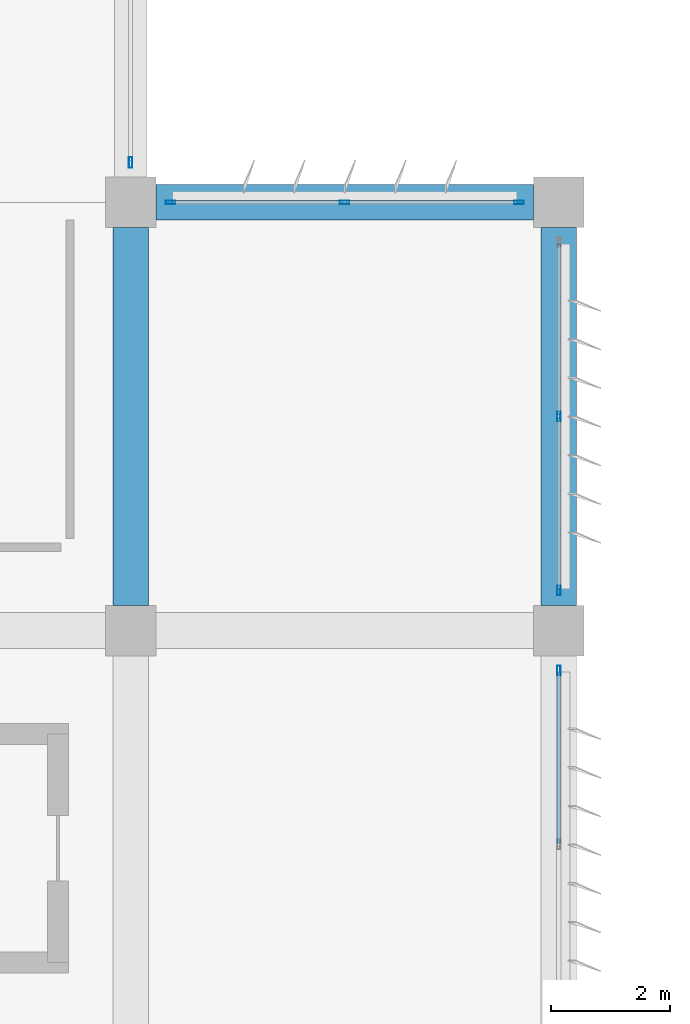
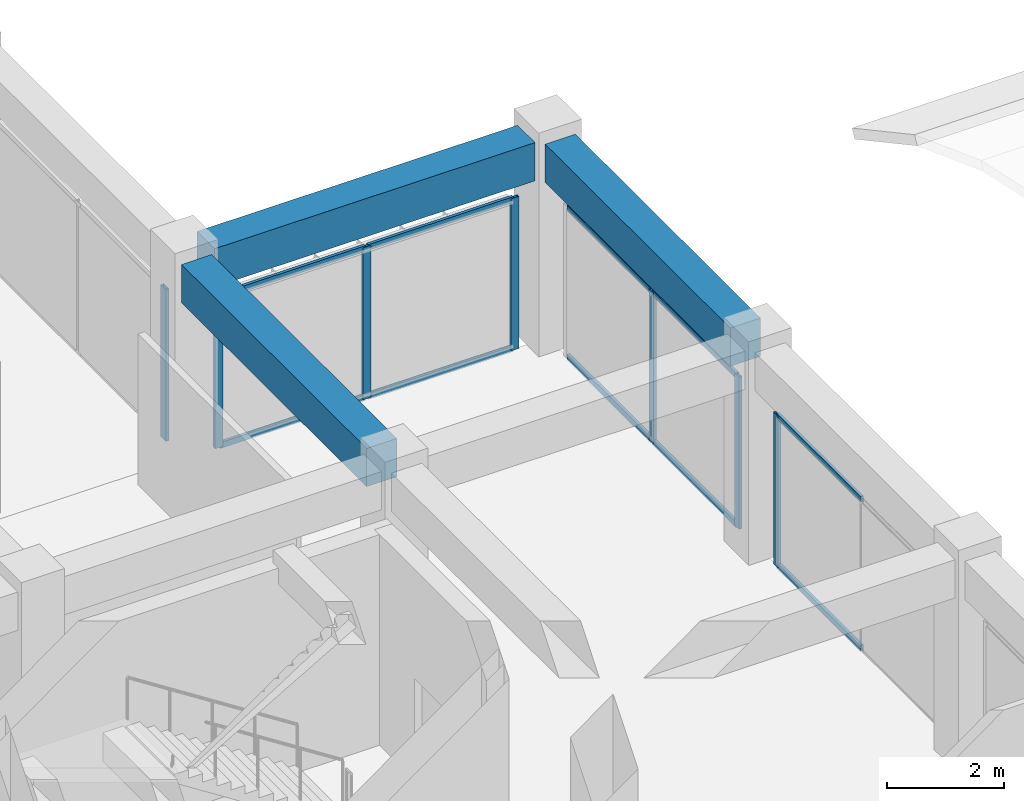
# One storey, part 20 of 55: 17 members, 3 beams, 4 elements without a shape of their own.
"""IFC4 building model written with IfcOpenShell, lengths in metres."""

from ifc_helpers import new_model, si_unit, direction, frame, origin, origin_2d, place, context, subcontext, project, spatial, rectangle, hollow_rectangle, extrude, material, material_profile, profile_set, type_object, element, aggregate, save


model = new_model("IFC4")

# Units and contexts
model_context = context("Model", 3, precision=1e-05, world=origin(), true_north=direction((0.0, 1.0)))
body_context = subcontext(model_context, "Body", "Model", "MODEL_VIEW")
ifc_project = project(units=[si_unit("LENGTHUNIT", "METRE"), si_unit("AREAUNIT", "SQUARE_METRE"), si_unit("VOLUMEUNIT", "CUBIC_METRE"), si_unit("PLANEANGLEUNIT", "RADIAN"), si_unit("MASSUNIT", "GRAM", prefix="KILO")], contexts=[model_context])

# Site, building, storey
site_placement = place(None, origin())
site = spatial("IfcSite", under=ifc_project, at=site_placement, CompositionType="ELEMENT")
building_placement = place(site_placement, origin())
building = spatial("IfcBuilding", under=site, at=building_placement, Name="Kazehaya Institute of Natural Sciences", CompositionType="ELEMENT")
storey_placement = place(building_placement, frame((0.0, 0.0, 15.1201171875)))
storey = spatial("IfcBuildingStorey", under=building, at=storey_placement, Name="L03", CompositionType="ELEMENT", Elevation=15.1201171875)

# Beams
ifc_material_1 = material(Name="Concrete Fc36", Category="concrete")
ifc_material_profile_1 = material_profile(ifc_material_1, rectangle(XDim=0.60009765625, YDim=0.800048828125, at=origin_2d()), Name="RC-600x800")
ifc_profile_set_1 = profile_set([ifc_material_profile_1], Name="Concrete Fc36")
beam_type = type_object("IfcBeamType", Name="BM-G-600x800", PredefinedType="BEAM", material=ifc_profile_set_1)
for number, where, z_axis, x_axis, name in (
    (1, (112.625, 35.60009765625, 4.009765625), (1.0, 0.0, 0.0), (0.0, 1.0, 0.0), "L03 primary X girder BMX-L03-1122-356"),
    (2, (112.199951171875, 28.824951171875, 4.009765625), (0.0, 1.0, 0.0), (-1.0, 0.0, 0.0), "L03 primary Y girder BMY-L03-1122-284"),
    (3, (119.39990234375, 28.824951171875, 4.009765625), (0.0, 1.0, 0.0), (-1.0, 0.0, 0.0), "L03 primary Y girder BMY-L03-1194-284"),
):
    element("IfcBeam", number, at=place(storey_placement, frame(where, z_axis=z_axis, x_axis=x_axis)), inside=storey, type_object=beam_type, Name=name, PredefinedType="BEAM", context=body_context, shape_type="SweptSolid", body=[
        extrude(rectangle(XDim=0.60009765625, YDim=0.800048828125, at=origin_2d()), origin(), (0.0, 0.0, 1.0), 6.35009765625),
    ])

# Curtain wall, members
ifc_material_2 = material(Name="Aluminium alloy A6063S-T5", Category="aluminium")
curtain_wall_type_1 = type_object("IfcCurtainWallType", Name="CW-SYS-03", PredefinedType="NOTDEFINED", material=ifc_material_2)
curtain_wall_1_placement = place(storey_placement, origin())
curtain_wall_1 = element("IfcCurtainWall", 4, at=curtain_wall_1_placement, inside=storey, type_object=curtain_wall_type_1, Name="L03 unitised curtain wall CW-L03-067", PredefinedType="NOTDEFINED")
ifc_material_profile_2 = material_profile(ifc_material_2, hollow_rectangle(XDim=0.06005859375, YDim=0.159912109375, WallThickness=0.00390625, at=origin_2d()), Name="ALU-60x160x4")
ifc_profile_set_2 = profile_set([ifc_material_profile_2], Name="Aluminium alloy A6063S-T5")
member_type_1 = type_object("IfcMemberType", Name="CWM-160", PredefinedType="MULLION", material=ifc_profile_set_2)
member_1_placement = place(storey_placement, frame((112.8701171875, 35.60009765625, 0.0), z_axis=(0.0, 0.0, 1.0), x_axis=(0.0, 1.0, 0.0)))
member_1 = element("IfcMember", 5, at=member_1_placement, type_object=member_type_1, Name="CW03 mullion 1", PredefinedType="MULLION", context=body_context, shape_type="SweptSolid", body=[
    extrude(hollow_rectangle(XDim=0.06005859375, YDim=0.159912109375, WallThickness=0.00390625, at=origin_2d()), origin(), (0.0, 0.0, 1.0), 3.179931640625),
])
member_2_placement = place(storey_placement, frame((115.800048828125, 35.60009765625, 0.0), z_axis=(0.0, 0.0, 1.0), x_axis=(0.0, 1.0, 0.0)))
member_2 = element("IfcMember", 6, at=member_2_placement, type_object=member_type_1, Name="CW03 mullion 2", PredefinedType="MULLION", context=body_context, shape_type="SweptSolid", body=[
    extrude(hollow_rectangle(XDim=0.06005859375, YDim=0.159912109375, WallThickness=0.00390625, at=origin_2d()), origin(), (0.0, 0.0, 1.0), 3.179931640625),
])
member_3_placement = place(storey_placement, frame((118.72998046875, 35.60009765625, 0.0), z_axis=(0.0, 0.0, 1.0), x_axis=(0.0, 1.0, 0.0)))
member_3 = element("IfcMember", 7, at=member_3_placement, type_object=member_type_1, Name="CW03 mullion 3", PredefinedType="MULLION", context=body_context, shape_type="SweptSolid", body=[
    extrude(hollow_rectangle(XDim=0.06005859375, YDim=0.159912109375, WallThickness=0.00390625, at=origin_2d()), origin(), (0.0, 0.0, 1.0), 3.179931640625),
])

# Curtain wall, member
curtain_wall_type_2 = type_object("IfcCurtainWallType", Name="CW-SYS-10", PredefinedType="NOTDEFINED", material=ifc_material_2)
curtain_wall_2_placement = place(storey_placement, origin())
curtain_wall_2 = element("IfcCurtainWall", 8, at=curtain_wall_2_placement, inside=storey, type_object=curtain_wall_type_2, Name="L03 unitised curtain wall CW-L03-072", PredefinedType="NOTDEFINED")
member_4_placement = place(storey_placement, frame((119.39990234375, 27.72998046875, 0.0), z_axis=(0.0, 0.0, 1.0), x_axis=(1.0, 0.0, 0.0)))
member_4 = element("IfcMember", 9, at=member_4_placement, type_object=member_type_1, Name="CW10 mullion 1", PredefinedType="MULLION", context=body_context, shape_type="SweptSolid", body=[
    extrude(hollow_rectangle(XDim=0.06005859375, YDim=0.159912109375, WallThickness=0.00390625, at=origin_2d()), origin(), (0.0, 0.0, 1.0), 3.179931640625),
])

# Curtain wall, members
curtain_wall_3_placement = place(storey_placement, origin())
curtain_wall_3 = element("IfcCurtainWall", 10, at=curtain_wall_3_placement, inside=storey, type_object=curtain_wall_type_2, Name="L03 unitised curtain wall CW-L03-074", PredefinedType="NOTDEFINED")
member_5_placement = place(storey_placement, frame((119.39990234375, 32.0, 0.0), z_axis=(0.0, 0.0, 1.0), x_axis=(1.0, 0.0, 0.0)))
member_5 = element("IfcMember", 11, at=member_5_placement, type_object=member_type_1, Name="CW10 mullion 2", PredefinedType="MULLION", context=body_context, shape_type="SweptSolid", body=[
    extrude(hollow_rectangle(XDim=0.06005859375, YDim=0.159912109375, WallThickness=0.00390625, at=origin_2d()), origin(), (0.0, 0.0, 1.0), 3.179931640625),
])
member_6_placement = place(storey_placement, frame((119.39990234375, 29.070068359375, 0.0), z_axis=(0.0, 0.0, 1.0), x_axis=(1.0, 0.0, 0.0)))
member_6 = element("IfcMember", 12, at=member_6_placement, type_object=member_type_1, Name="CW10 mullion 3", PredefinedType="MULLION", context=body_context, shape_type="SweptSolid", body=[
    extrude(hollow_rectangle(XDim=0.06005859375, YDim=0.159912109375, WallThickness=0.00390625, at=origin_2d()), origin(), (0.0, 0.0, 1.0), 3.179931640625),
])

# Curtain wall, member
curtain_wall_type_3 = type_object("IfcCurtainWallType", Name="CW-SYS-04", PredefinedType="NOTDEFINED", material=ifc_material_2)
curtain_wall_4_placement = place(storey_placement, origin())
curtain_wall_4 = element("IfcCurtainWall", 13, at=curtain_wall_4_placement, inside=storey, type_object=curtain_wall_type_3, Name="L03 unitised curtain wall CW-L03-032", PredefinedType="NOTDEFINED")
ifc_material_profile_3 = material_profile(ifc_material_2, hollow_rectangle(XDim=0.06005859375, YDim=0.179931640625, WallThickness=0.00390625, at=origin_2d()), Name="ALU-60x180x4")
ifc_profile_set_3 = profile_set([ifc_material_profile_3], Name="Aluminium alloy A6063S-T5")
member_type_2 = type_object("IfcMemberType", Name="CWM-180", PredefinedType="MULLION", material=ifc_profile_set_3)
member_7_placement = place(storey_placement, frame((112.199951171875, 36.27001953125, 0.0), z_axis=(0.0, 0.0, 1.0), x_axis=(1.0, 0.0, 0.0)))
member_7 = element("IfcMember", 14, at=member_7_placement, type_object=member_type_2, Name="CW04 mullion 3", PredefinedType="MULLION", context=body_context, shape_type="SweptSolid", body=[
    extrude(hollow_rectangle(XDim=0.06005859375, YDim=0.179931640625, WallThickness=0.00390625, at=origin_2d()), origin(), (0.0, 0.0, 1.0), 3.179931640625),
])
aggregate(curtain_wall_4, [member_7])

# Member
ifc_material_profile_4 = material_profile(ifc_material_2, hollow_rectangle(XDim=0.06005859375, YDim=0.1201171875, WallThickness=0.00341796875, at=origin_2d()), Name="ALU-60x120x3.5")
ifc_profile_set_4 = profile_set([ifc_material_profile_4], Name="Aluminium alloy A6063S-T5")
member_type_3 = type_object("IfcMemberType", Name="CWT-120", PredefinedType="USERDEFINED", material=ifc_profile_set_4)
member_8_placement = place(storey_placement, frame((112.89990234375, 35.60009765625, 0.02978515625), z_axis=(1.0, 0.0, 0.0), x_axis=(0.0, 1.0, 0.0)))
member_8 = element("IfcMember", 15, at=member_8_placement, type_object=member_type_3, Name="CW03 transom 1.1", ObjectType="TRANSOM", PredefinedType="USERDEFINED", context=body_context, shape_type="SweptSolid", body=[
    extrude(hollow_rectangle(XDim=0.06005859375, YDim=0.1201171875, WallThickness=0.00341796875, at=origin_2d()), origin(), (0.0, 0.0, 1.0), 2.8701171875),
])

member_9_placement = place(storey_placement, frame((112.89990234375, 35.60009765625, 3.14990234375), z_axis=(1.0, 0.0, 0.0), x_axis=(0.0, 1.0, 0.0)))
member_9 = element("IfcMember", 16, at=member_9_placement, type_object=member_type_3, Name="CW03 transom 1.2", ObjectType="TRANSOM", PredefinedType="USERDEFINED", context=body_context, shape_type="SweptSolid", body=[
    extrude(hollow_rectangle(XDim=0.06005859375, YDim=0.1201171875, WallThickness=0.00341796875, at=origin_2d()), origin(), (0.0, 0.0, 1.0), 2.8701171875),
])

member_10_placement = place(storey_placement, frame((115.830078125, 35.60009765625, 0.02978515625), z_axis=(1.0, 0.0, 0.0), x_axis=(0.0, 1.0, 0.0)))
member_10 = element("IfcMember", 17, at=member_10_placement, type_object=member_type_3, Name="CW03 transom 2.1", ObjectType="TRANSOM", PredefinedType="USERDEFINED", context=body_context, shape_type="SweptSolid", body=[
    extrude(hollow_rectangle(XDim=0.06005859375, YDim=0.1201171875, WallThickness=0.00341796875, at=origin_2d()), origin(), (0.0, 0.0, 1.0), 2.869873046875),
])

member_11_placement = place(storey_placement, frame((115.830078125, 35.60009765625, 3.14990234375), z_axis=(1.0, 0.0, 0.0), x_axis=(0.0, 1.0, 0.0)))
member_11 = element("IfcMember", 18, at=member_11_placement, type_object=member_type_3, Name="CW03 transom 2.2", ObjectType="TRANSOM", PredefinedType="USERDEFINED", context=body_context, shape_type="SweptSolid", body=[
    extrude(hollow_rectangle(XDim=0.06005859375, YDim=0.1201171875, WallThickness=0.00341796875, at=origin_2d()), origin(), (0.0, 0.0, 1.0), 2.869873046875),
])

aggregate(curtain_wall_1, [member_1, member_2, member_3, member_8, member_9, member_10, member_11])

member_12_placement = place(storey_placement, frame((119.39990234375, 27.699951171875, 0.02978515625), z_axis=(0.0, -1.0, 0.0), x_axis=(1.0, 0.0, 0.0)))
member_12 = element("IfcMember", 19, at=member_12_placement, type_object=member_type_3, Name="CW10 transom 1.1", ObjectType="TRANSOM", PredefinedType="USERDEFINED", context=body_context, shape_type="SweptSolid", body=[
    extrude(hollow_rectangle(XDim=0.06005859375, YDim=0.1201171875, WallThickness=0.00341796875, at=origin_2d()), origin(), (0.0, 0.0, 1.0), 2.869873046875),
])

member_13_placement = place(storey_placement, frame((119.39990234375, 27.699951171875, 3.14990234375), z_axis=(0.0, -1.0, 0.0), x_axis=(1.0, 0.0, 0.0)))
member_13 = element("IfcMember", 20, at=member_13_placement, type_object=member_type_3, Name="CW10 transom 1.2", ObjectType="TRANSOM", PredefinedType="USERDEFINED", context=body_context, shape_type="SweptSolid", body=[
    extrude(hollow_rectangle(XDim=0.06005859375, YDim=0.1201171875, WallThickness=0.00341796875, at=origin_2d()), origin(), (0.0, 0.0, 1.0), 2.869873046875),
])

aggregate(curtain_wall_2, [member_4, member_12, member_13])

member_14_placement = place(storey_placement, frame((119.39990234375, 34.89990234375, 0.02978515625), z_axis=(0.0, -1.0, 0.0), x_axis=(1.0, 0.0, 0.0)))
member_14 = element("IfcMember", 21, at=member_14_placement, type_object=member_type_3, Name="CW10 transom 1.1", ObjectType="TRANSOM", PredefinedType="USERDEFINED", context=body_context, shape_type="SweptSolid", body=[
    extrude(hollow_rectangle(XDim=0.06005859375, YDim=0.1201171875, WallThickness=0.00341796875, at=origin_2d()), origin(), (0.0, 0.0, 1.0), 2.869873046875),
])

member_15_placement = place(storey_placement, frame((119.39990234375, 34.89990234375, 3.14990234375), z_axis=(0.0, -1.0, 0.0), x_axis=(1.0, 0.0, 0.0)))
member_15 = element("IfcMember", 22, at=member_15_placement, type_object=member_type_3, Name="CW10 transom 1.2", ObjectType="TRANSOM", PredefinedType="USERDEFINED", context=body_context, shape_type="SweptSolid", body=[
    extrude(hollow_rectangle(XDim=0.06005859375, YDim=0.1201171875, WallThickness=0.00341796875, at=origin_2d()), origin(), (0.0, 0.0, 1.0), 2.869873046875),
])

member_16_placement = place(storey_placement, frame((119.39990234375, 31.969970703125, 0.02978515625), z_axis=(0.0, -1.0, 0.0), x_axis=(1.0, 0.0, 0.0)))
member_16 = element("IfcMember", 23, at=member_16_placement, type_object=member_type_3, Name="CW10 transom 2.1", ObjectType="TRANSOM", PredefinedType="USERDEFINED", context=body_context, shape_type="SweptSolid", body=[
    extrude(hollow_rectangle(XDim=0.06005859375, YDim=0.1201171875, WallThickness=0.00341796875, at=origin_2d()), origin(), (0.0, 0.0, 1.0), 2.869873046875),
])

member_17_placement = place(storey_placement, frame((119.39990234375, 31.969970703125, 3.14990234375), z_axis=(0.0, -1.0, 0.0), x_axis=(1.0, 0.0, 0.0)))
member_17 = element("IfcMember", 24, at=member_17_placement, type_object=member_type_3, Name="CW10 transom 2.2", ObjectType="TRANSOM", PredefinedType="USERDEFINED", context=body_context, shape_type="SweptSolid", body=[
    extrude(hollow_rectangle(XDim=0.06005859375, YDim=0.1201171875, WallThickness=0.00341796875, at=origin_2d()), origin(), (0.0, 0.0, 1.0), 2.869873046875),
])

aggregate(curtain_wall_3, [member_5, member_6, member_14, member_15, member_16, member_17])

save(model, "model.ifc")
